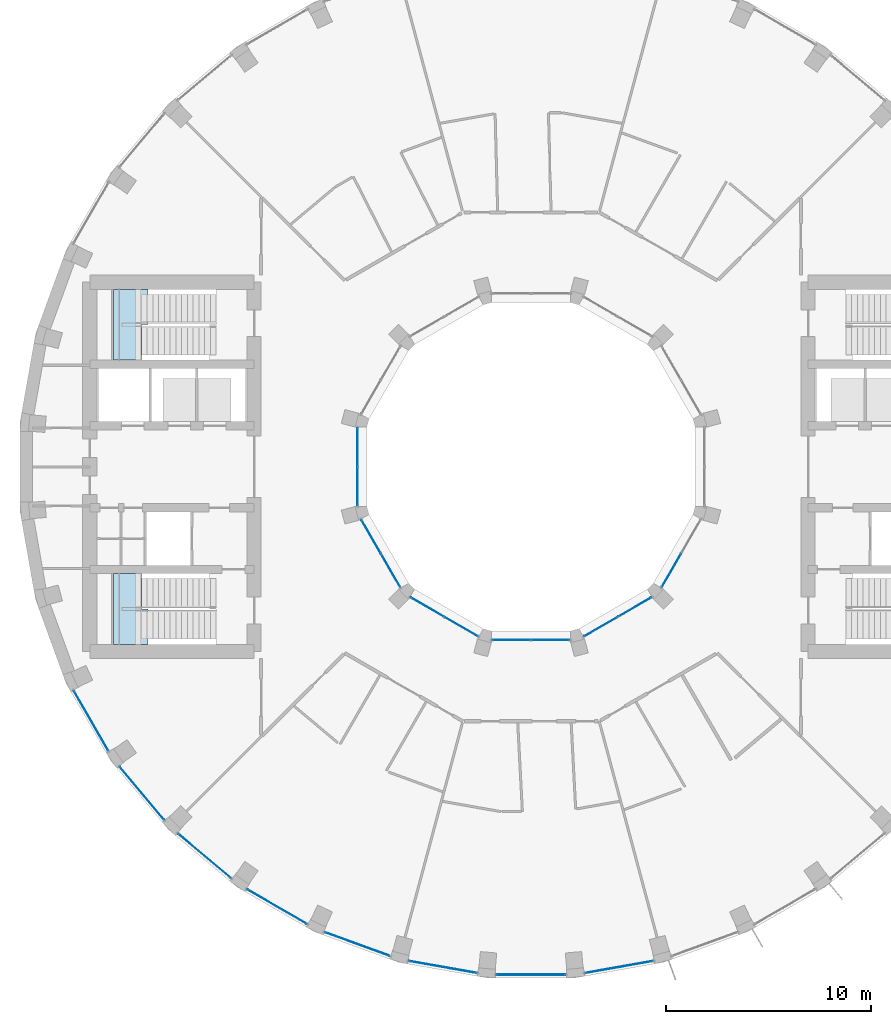
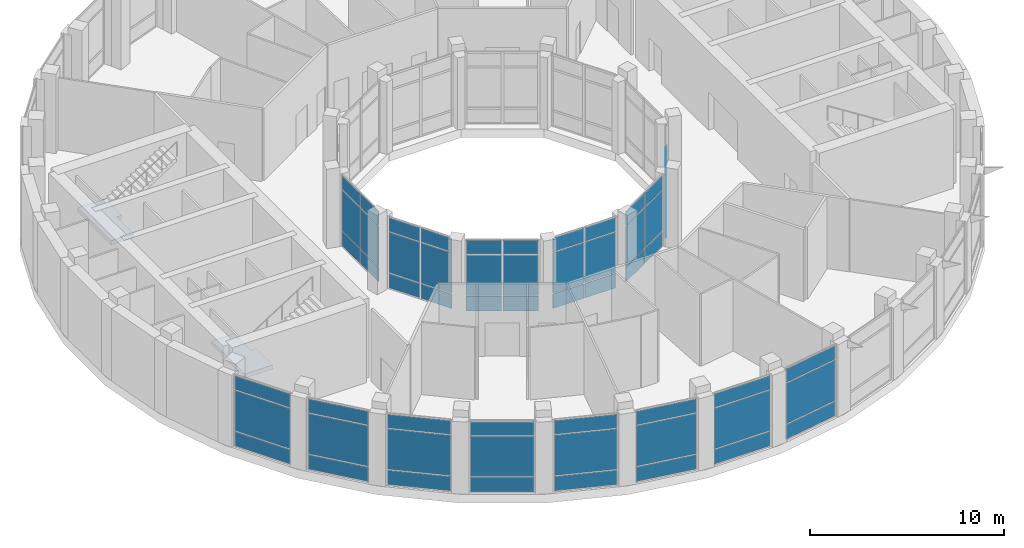
# One storey, part 8 of 18: 57 plates, 2 slabs, 16 elements without a shape of their own.
"""IFC4 building model written with IfcOpenShell, lengths in metres."""

import ifcopenshell
import ifcopenshell.guid

model = None  # the IFC model being written
_history = None  # IfcOwnerHistory: only IFC2X3 demands one
_inside = {}  # id of a spatial element -> (the spatial element, [elements in it])
_under = {}  # id of a project, library or spatial element -> (it, [spatial elements below it])
_declared = {}  # id of a project -> (the project, [libraries it declares])
_typed = {}  # id of a type object -> (the type object, [elements of that type])
_made_of = {}  # id of a material, layer set ... -> (it, [elements and type objects made of it])


def new_model(schema):
    """Start an empty IFC model of exactly this schema.

    Asked for "IFC4X3", IfcOpenShell would pick the latest addendum, in which some entities
    have other attributes; the version numbers below select the first issue.
    IFC2X3 requires an IfcOwnerHistory on every rooted entity: one is made here for all.
    """
    global model, _history
    if schema == "IFC4X3":
        model = ifcopenshell.file(schema_version=(4, 3, 0, 0))
    else:
        model = ifcopenshell.file(schema=schema)
    _inside.clear()
    _under.clear()
    _declared.clear()
    _typed.clear()
    _made_of.clear()
    _history = None
    if model.schema == "IFC2X3":
        org = make("IfcOrganization", Name="unknown")
        user = make(
            "IfcPersonAndOrganization",
            ThePerson=make("IfcPerson", FamilyName="unknown"),
            TheOrganization=org,
        )
        app = make(
            "IfcApplication",
            ApplicationDeveloper=org,
            Version="unknown",
            ApplicationFullName="unknown",
            ApplicationIdentifier="unknown",
        )
        _history = make(
            "IfcOwnerHistory",
            OwningUser=user,
            OwningApplication=app,
            ChangeAction="ADDED",
            CreationDate=0,
        )
    return model


def make(cls, **values):
    """One entity of the class cls with the attributes given. An attribute that is None is left unset."""
    return model.create_entity(
        cls, **{name: value for name, value in values.items() if value is not None}
    )


def rooted(cls, **values):
    """An entity with a GlobalId (a new one), such as an element, a storey or a relation."""
    return make(cls, GlobalId=ifcopenshell.guid.new(), OwnerHistory=_history, **values)


def si_unit(unit_type, name, prefix=None):
    """IfcSIUnit, for example si_unit("LENGTHUNIT", "METRE", prefix="MILLI")."""
    return make("IfcSIUnit", UnitType=unit_type, Prefix=prefix, Name=name)


def assignment(units):
    """IfcUnitAssignment: the units of a project."""
    return None if units is None else make("IfcUnitAssignment", Units=units)


def point(xyz):
    """IfcCartesianPoint."""
    return None if xyz is None else make("IfcCartesianPoint", Coordinates=xyz)


def direction(xyz):
    """IfcDirection."""
    return None if xyz is None else make("IfcDirection", DirectionRatios=xyz)


def frame(location, z_axis=None, x_axis=None):
    """IfcAxis2Placement3D, a coordinate frame: its origin and axes. An axis left out is left unset."""
    return make(
        "IfcAxis2Placement3D",
        Location=point(location),
        Axis=direction(z_axis),
        RefDirection=direction(x_axis),
    )


def frame_2d(location, x_axis=None):
    """IfcAxis2Placement2D, a coordinate frame in the plane: its origin and x axis."""
    return make(
        "IfcAxis2Placement2D", Location=point(location), RefDirection=direction(x_axis)
    )


def origin():
    """The frame at (0, 0, 0) with its axes left unset."""
    return frame((0.0, 0.0, 0.0))


def origin_2d():
    """The frame at (0, 0) in the plane with its x axis left unset."""
    return frame_2d((0.0, 0.0))


def place(relative_to, where):
    """IfcLocalPlacement: puts the frame where relative to a parent placement (None: the world)."""
    return make(
        "IfcLocalPlacement", PlacementRelTo=relative_to, RelativePlacement=where
    )


def context(
    kind, dimensions, precision=None, world=None, true_north=None, identifier=None
):
    """IfcGeometricRepresentationContext, for example the 3D "Model" context."""
    return make(
        "IfcGeometricRepresentationContext",
        ContextIdentifier=identifier,
        ContextType=kind,
        CoordinateSpaceDimension=dimensions,
        Precision=precision,
        WorldCoordinateSystem=world,
        TrueNorth=true_north,
    )


def subcontext(parent, identifier, kind, view, scale=None):
    """IfcGeometricRepresentationSubContext, for example "Body" below "Model"."""
    return make(
        "IfcGeometricRepresentationSubContext",
        ContextIdentifier=identifier,
        ContextType=kind,
        ParentContext=parent,
        TargetScale=scale,
        TargetView=view,
    )


def project(units=None, contexts=None):
    """IfcProject with its units and contexts."""
    return rooted(
        "IfcProject",
        Name="project",
        RepresentationContexts=contexts,
        UnitsInContext=assignment(units),
    )


def spatial(cls, under=None, at=None, **own):
    """A site, building, storey or space (cls), placed at a placement, below another one or the project."""
    s = rooted(cls, ObjectPlacement=at, **own)
    if under is not None:
        _under.setdefault(under.id(), (under, []))[1].append(s)
    return s


def polyline(points):
    """IfcPolyline through the points."""
    return make("IfcPolyline", Points=[point(p) for p in points])


def profile(cls, at=None, kind="AREA", **sizes):
    """A parametric profile (cls). Its sizes go by their IFC names, for example OverallWidth=200.0."""
    return make(cls, ProfileType=kind, Position=at, **sizes)


def rectangle(**sizes):
    """IfcRectangleProfileDef."""
    return profile("IfcRectangleProfileDef", **sizes)


def outline(outer, holes=None, kind="AREA"):
    """IfcArbitraryClosedProfileDef: a profile drawn as a closed curve; with holes, ...WithVoids."""
    if holes is None:
        return make("IfcArbitraryClosedProfileDef", ProfileType=kind, OuterCurve=outer)
    return make(
        "IfcArbitraryProfileDefWithVoids",
        ProfileType=kind,
        OuterCurve=outer,
        InnerCurves=holes,
    )


def extrude(swept, where, along, depth):
    """IfcExtrudedAreaSolid: the profile swept, set in the frame where, extruded along a direction by depth."""
    return make(
        "IfcExtrudedAreaSolid",
        SweptArea=swept,
        Position=where,
        ExtrudedDirection=direction(along),
        Depth=depth,
    )


def shape(context_of_items, identifier, shape_type, items):
    """IfcShapeRepresentation: the items that make up one representation, for example the "Body"."""
    return make(
        "IfcShapeRepresentation",
        ContextOfItems=context_of_items,
        RepresentationIdentifier=identifier,
        RepresentationType=shape_type,
        Items=items,
    )


def material(Name=None, Category=None):
    """IfcMaterial."""
    return make("IfcMaterial", Name=Name, Category=Category)


def layer(
    of_material, thickness, ventilated=None, Name=None, Category=None, Priority=None
):
    """IfcMaterialLayer: one layer of a wall or slab, of a material (None: an air gap)."""
    return make(
        "IfcMaterialLayer",
        Material=of_material,
        LayerThickness=thickness,
        IsVentilated=ventilated,
        Name=Name,
        Category=Category,
        Priority=Priority,
    )


def layer_set(layers, Name=None):
    """IfcMaterialLayerSet."""
    return make("IfcMaterialLayerSet", MaterialLayers=layers, LayerSetName=Name)


def made_of(thing, what):
    """Note that an element or type object is made of a material, layer set ...; save() writes the relation."""
    if what is not None:
        _made_of.setdefault(what.id(), (what, []))[1].append(thing)
    return thing


def type_object(cls, material=None, **own):
    """A type object (cls), such as IfcWallType, which elements share."""
    return made_of(rooted(cls, **own), material)


def element(
    cls,
    number,
    at=None,
    inside=None,
    cuts=None,
    type_object=None,
    material=None,
    context=None,
    identifier="Body",
    shape_type=None,
    held_by="IfcProductDefinitionShape",
    body=None,
    shapes=None,
    **own,
):
    """One element of the class cls, such as IfcWall. Its Tag is "e" and its number.

    at: its placement. inside: the storey or other place that contains it. cuts: it is an
    opening in that element (IfcRelVoidsElement). A single representation is given by context,
    identifier, shape_type and body (its items); several are given by shapes. held_by: the class
    of the entity that holds the representations. save() writes the other relations.
    """
    e = rooted(cls, Tag="e%d" % number, ObjectPlacement=at, **own)
    if body is not None:
        shapes = [shape(context, identifier, shape_type, body)]
    if shapes is not None:
        e.Representation = make(held_by, Representations=shapes)
    if inside is not None:
        _inside.setdefault(inside.id(), (inside, []))[1].append(e)
    if cuts is not None:
        rooted(
            "IfcRelVoidsElement", RelatingBuildingElement=cuts, RelatedOpeningElement=e
        )
    if type_object is not None:
        _typed.setdefault(type_object.id(), (type_object, []))[1].append(e)
    return made_of(e, material)


def aggregate(whole, parts):
    """IfcRelAggregates: a whole, such as a stair, and the parts it consists of."""
    return rooted("IfcRelAggregates", RelatingObject=whole, RelatedObjects=parts)


def save(model, path):
    """Write the relations noted so far, then the file.

    IfcRelAggregates (storeys below a building ...), IfcRelContainedInSpatialStructure (elements
    in a storey), IfcRelDefinesByType, IfcRelAssociatesMaterial and IfcRelDeclares: one each for
    every whole, place, type object, material and project.
    """
    for whole, parts in _under.values():
        aggregate(whole, parts)
    for where, things in _inside.values():
        rooted(
            "IfcRelContainedInSpatialStructure",
            RelatedElements=things,
            RelatingStructure=where,
        )
    for kind, things in _typed.values():
        rooted("IfcRelDefinesByType", RelatedObjects=things, RelatingType=kind)
    for what, things in _made_of.values():
        rooted("IfcRelAssociatesMaterial", RelatedObjects=things, RelatingMaterial=what)
    for by, libraries in _declared.values():
        rooted("IfcRelDeclares", RelatingContext=by, RelatedDefinitions=libraries)
    model.write(path)


model = new_model("IFC4")

# Units and contexts
model_context = context("Model", 3, precision=1e-05, world=origin(), true_north=direction((0.0, 1.0)))
body_context = subcontext(model_context, "Body", "Model", "MODEL_VIEW")
ifc_project = project(units=[si_unit("LENGTHUNIT", "METRE"), si_unit("AREAUNIT", "SQUARE_METRE"), si_unit("VOLUMEUNIT", "CUBIC_METRE"), si_unit("PLANEANGLEUNIT", "RADIAN"), si_unit("MASSUNIT", "GRAM", prefix="KILO")], contexts=[model_context])

# Site, building, storey
site_placement = place(None, origin())
site = spatial("IfcSite", under=ifc_project, at=site_placement, CompositionType="ELEMENT")
building_placement = place(site_placement, origin())
building = spatial("IfcBuilding", under=site, at=building_placement, Name="Saqina Gate Tower", CompositionType="ELEMENT")
storey_placement = place(building_placement, frame((0.0, 0.0, 155.800048828125)))
storey = spatial("IfcBuildingStorey", under=building, at=storey_placement, Name="L44", CompositionType="ELEMENT", Elevation=155.800048828125)

# Curtain wall, plates
ifc_material_1 = material(Name="Aluminium glazing", Category="aluminium")
ifc_layer_1 = layer(ifc_material_1, 0.159912109375)
ifc_layer_set_1 = layer_set([ifc_layer_1], Name="CWT-2")
curtain_wall_type_1 = type_object("IfcCurtainWallType", Name="CWT-2", PredefinedType="NOTDEFINED", material=ifc_layer_set_1)
curtain_wall_1_placement = place(storey_placement, origin())
curtain_wall_1 = element("IfcCurtainWall", 1, at=curtain_wall_1_placement, inside=storey, type_object=curtain_wall_type_1, Name="Sky lounge glazing facet 21", PredefinedType="NOTDEFINED")
ifc_material_2 = material(Name="Glass", Category="glass")
ifc_layer_2 = layer(ifc_material_2, 0.028076171875)
ifc_layer_set_2 = layer_set([ifc_layer_2], Name="CWT-2P")
plate_type_1 = type_object("IfcPlateType", Name="CWT-2P", PredefinedType="CURTAIN_PANEL", material=ifc_layer_set_2)
plate_1_placement = place(storey_placement, frame((-21.438232421875, -12.37744140625, 0.06005859375), z_axis=(0.0, 0.0, 1.0), x_axis=(0.500014364391, -0.866017110341, 0.0)))
plate_1 = element("IfcPlate", 2, at=plate_1_placement, type_object=plate_type_1, Name="CW2-21 panel 1.1", PredefinedType="CURTAIN_PANEL", context=body_context, shape_type="SweptSolid", body=[
    extrude(rectangle(XDim=3.32958984375, YDim=0.028076171875, at=origin_2d()), origin(), (0.0, 0.0, 1.0), 0.909912109375),
])
plate_2_placement = place(storey_placement, frame((-21.438232421875, -12.37744140625, 1.030029296875), z_axis=(0.0, 0.0, 1.0), x_axis=(0.500014364391, -0.866017110341, 0.0)))
plate_2 = element("IfcPlate", 3, at=plate_2_placement, type_object=plate_type_1, Name="CW2-21 panel 1.2", PredefinedType="CURTAIN_PANEL", context=body_context, shape_type="SweptSolid", body=[
    extrude(rectangle(XDim=3.32958984375, YDim=0.028076171875, at=origin_2d()), origin(), (0.0, 0.0, 1.0), 2.5400390625),
])
plate_3_placement = place(storey_placement, frame((-21.438232421875, -12.37744140625, 3.6298828125), z_axis=(0.0, 0.0, 1.0), x_axis=(0.500014364391, -0.866017110341, 0.0)))
plate_3 = element("IfcPlate", 4, at=plate_3_placement, type_object=plate_type_1, Name="CW2-21 panel 1.3", PredefinedType="CURTAIN_PANEL", context=body_context, shape_type="SweptSolid", body=[
    extrude(rectangle(XDim=3.32958984375, YDim=0.028076171875, at=origin_2d()), origin(), (0.0, 0.0, 1.0), 0.860107421875),
])
aggregate(curtain_wall_1, [plate_1, plate_2, plate_3])

curtain_wall_2_placement = place(storey_placement, origin())
curtain_wall_2 = element("IfcCurtainWall", 5, at=curtain_wall_2_placement, inside=storey, type_object=curtain_wall_type_1, Name="Sky lounge glazing facet 22", PredefinedType="NOTDEFINED")
plate_4_placement = place(storey_placement, frame((-18.96337890625, -15.912109375, 0.06005859375), z_axis=(0.0, 0.0, 1.0), x_axis=(0.642789549658, -0.766042815286, 0.0)))
plate_4 = element("IfcPlate", 6, at=plate_4_placement, type_object=plate_type_1, Name="CW2-22 panel 1.1", PredefinedType="CURTAIN_PANEL", context=body_context, shape_type="SweptSolid", body=[
    extrude(rectangle(XDim=3.329833984375, YDim=0.028076171875, at=origin_2d()), origin(), (0.0, 0.0, 1.0), 0.909912109375),
])
plate_5_placement = place(storey_placement, frame((-18.96337890625, -15.912109375, 1.030029296875), z_axis=(0.0, 0.0, 1.0), x_axis=(0.642789549658, -0.766042815286, 0.0)))
plate_5 = element("IfcPlate", 7, at=plate_5_placement, type_object=plate_type_1, Name="CW2-22 panel 1.2", PredefinedType="CURTAIN_PANEL", context=body_context, shape_type="SweptSolid", body=[
    extrude(rectangle(XDim=3.329833984375, YDim=0.028076171875, at=origin_2d()), origin(), (0.0, 0.0, 1.0), 2.5400390625),
])
plate_6_placement = place(storey_placement, frame((-18.96337890625, -15.912109375, 3.6298828125), z_axis=(0.0, 0.0, 1.0), x_axis=(0.642789549658, -0.766042815286, 0.0)))
plate_6 = element("IfcPlate", 8, at=plate_6_placement, type_object=plate_type_1, Name="CW2-22 panel 1.3", PredefinedType="CURTAIN_PANEL", context=body_context, shape_type="SweptSolid", body=[
    extrude(rectangle(XDim=3.329833984375, YDim=0.028076171875, at=origin_2d()), origin(), (0.0, 0.0, 1.0), 0.860107421875),
])
aggregate(curtain_wall_2, [plate_4, plate_5, plate_6])

curtain_wall_3_placement = place(storey_placement, origin())
curtain_wall_3 = element("IfcCurtainWall", 9, at=curtain_wall_3_placement, inside=storey, type_object=curtain_wall_type_1, Name="Sky lounge glazing facet 23", PredefinedType="NOTDEFINED")
plate_7_placement = place(storey_placement, frame((-15.912109375, -18.96337890625, 0.06005859375), z_axis=(0.0, 0.0, 1.0), x_axis=(0.766042815286, -0.642789549658, 0.0)))
plate_7 = element("IfcPlate", 10, at=plate_7_placement, type_object=plate_type_1, Name="CW2-23 panel 1.1", PredefinedType="CURTAIN_PANEL", context=body_context, shape_type="SweptSolid", body=[
    extrude(rectangle(XDim=3.329833984375, YDim=0.028076171875, at=origin_2d()), origin(), (0.0, 0.0, 1.0), 0.909912109375),
])
plate_8_placement = place(storey_placement, frame((-15.912109375, -18.96337890625, 1.030029296875), z_axis=(0.0, 0.0, 1.0), x_axis=(0.766042815286, -0.642789549658, 0.0)))
plate_8 = element("IfcPlate", 11, at=plate_8_placement, type_object=plate_type_1, Name="CW2-23 panel 1.2", PredefinedType="CURTAIN_PANEL", context=body_context, shape_type="SweptSolid", body=[
    extrude(rectangle(XDim=3.329833984375, YDim=0.028076171875, at=origin_2d()), origin(), (0.0, 0.0, 1.0), 2.5400390625),
])
plate_9_placement = place(storey_placement, frame((-15.912109375, -18.96337890625, 3.6298828125), z_axis=(0.0, 0.0, 1.0), x_axis=(0.766042815286, -0.642789549658, 0.0)))
plate_9 = element("IfcPlate", 12, at=plate_9_placement, type_object=plate_type_1, Name="CW2-23 panel 1.3", PredefinedType="CURTAIN_PANEL", context=body_context, shape_type="SweptSolid", body=[
    extrude(rectangle(XDim=3.329833984375, YDim=0.028076171875, at=origin_2d()), origin(), (0.0, 0.0, 1.0), 0.860107421875),
])
aggregate(curtain_wall_3, [plate_7, plate_8, plate_9])

curtain_wall_4_placement = place(storey_placement, origin())
curtain_wall_4 = element("IfcCurtainWall", 13, at=curtain_wall_4_placement, inside=storey, type_object=curtain_wall_type_1, Name="Sky lounge glazing facet 24", PredefinedType="NOTDEFINED")
plate_10_placement = place(storey_placement, frame((-12.37744140625, -21.438232421875, 0.06005859375), z_axis=(0.0, 0.0, 1.0), x_axis=(0.866017110341, -0.500014364391, 0.0)))
plate_10 = element("IfcPlate", 14, at=plate_10_placement, type_object=plate_type_1, Name="CW2-24 panel 1.1", PredefinedType="CURTAIN_PANEL", context=body_context, shape_type="SweptSolid", body=[
    extrude(rectangle(XDim=3.32958984375, YDim=0.028076171875, at=origin_2d()), origin(), (0.0, 0.0, 1.0), 0.909912109375),
])
plate_11_placement = place(storey_placement, frame((-12.37744140625, -21.438232421875, 1.030029296875), z_axis=(0.0, 0.0, 1.0), x_axis=(0.866017110341, -0.500014364391, 0.0)))
plate_11 = element("IfcPlate", 15, at=plate_11_placement, type_object=plate_type_1, Name="CW2-24 panel 1.2", PredefinedType="CURTAIN_PANEL", context=body_context, shape_type="SweptSolid", body=[
    extrude(rectangle(XDim=3.32958984375, YDim=0.028076171875, at=origin_2d()), origin(), (0.0, 0.0, 1.0), 2.5400390625),
])
plate_12_placement = place(storey_placement, frame((-12.37744140625, -21.438232421875, 3.6298828125), z_axis=(0.0, 0.0, 1.0), x_axis=(0.866017110341, -0.500014364391, 0.0)))
plate_12 = element("IfcPlate", 16, at=plate_12_placement, type_object=plate_type_1, Name="CW2-24 panel 1.3", PredefinedType="CURTAIN_PANEL", context=body_context, shape_type="SweptSolid", body=[
    extrude(rectangle(XDim=3.32958984375, YDim=0.028076171875, at=origin_2d()), origin(), (0.0, 0.0, 1.0), 0.860107421875),
])
aggregate(curtain_wall_4, [plate_10, plate_11, plate_12])

curtain_wall_5_placement = place(storey_placement, origin())
curtain_wall_5 = element("IfcCurtainWall", 17, at=curtain_wall_5_placement, inside=storey, type_object=curtain_wall_type_1, Name="Sky lounge glazing facet 25", PredefinedType="NOTDEFINED")
plate_13_placement = place(storey_placement, frame((-8.466552734375, -23.261962890625, 0.06005859375), z_axis=(0.0, 0.0, 1.0), x_axis=(0.939690972552, -0.342024671777, 0.0)))
plate_13 = element("IfcPlate", 18, at=plate_13_placement, type_object=plate_type_1, Name="CW2-25 panel 1.1", PredefinedType="CURTAIN_PANEL", context=body_context, shape_type="SweptSolid", body=[
    extrude(rectangle(XDim=3.329833984375, YDim=0.028076171875, at=origin_2d()), origin(), (0.0, 0.0, 1.0), 0.909912109375),
])
plate_14_placement = place(storey_placement, frame((-8.466552734375, -23.261962890625, 1.030029296875), z_axis=(0.0, 0.0, 1.0), x_axis=(0.939690972552, -0.342024671777, 0.0)))
plate_14 = element("IfcPlate", 19, at=plate_14_placement, type_object=plate_type_1, Name="CW2-25 panel 1.2", PredefinedType="CURTAIN_PANEL", context=body_context, shape_type="SweptSolid", body=[
    extrude(rectangle(XDim=3.329833984375, YDim=0.028076171875, at=origin_2d()), origin(), (0.0, 0.0, 1.0), 2.5400390625),
])
plate_15_placement = place(storey_placement, frame((-8.466552734375, -23.261962890625, 3.6298828125), z_axis=(0.0, 0.0, 1.0), x_axis=(0.939690972552, -0.342024671777, 0.0)))
plate_15 = element("IfcPlate", 20, at=plate_15_placement, type_object=plate_type_1, Name="CW2-25 panel 1.3", PredefinedType="CURTAIN_PANEL", context=body_context, shape_type="SweptSolid", body=[
    extrude(rectangle(XDim=3.329833984375, YDim=0.028076171875, at=origin_2d()), origin(), (0.0, 0.0, 1.0), 0.860107421875),
])
aggregate(curtain_wall_5, [plate_13, plate_14, plate_15])

curtain_wall_6_placement = place(storey_placement, origin())
curtain_wall_6 = element("IfcCurtainWall", 21, at=curtain_wall_6_placement, inside=storey, type_object=curtain_wall_type_1, Name="Sky lounge glazing facet 26", PredefinedType="NOTDEFINED")
plate_16_placement = place(storey_placement, frame((-4.298583984375, -24.37890625, 0.06005859375), z_axis=(0.0, 0.0, 1.0), x_axis=(0.984809520296, -0.173638154602, 0.0)))
plate_16 = element("IfcPlate", 22, at=plate_16_placement, type_object=plate_type_1, Name="CW2-26 panel 1.1", PredefinedType="CURTAIN_PANEL", context=body_context, shape_type="SweptSolid", body=[
    extrude(rectangle(XDim=3.32958984375, YDim=0.028076171875, at=origin_2d()), origin(), (0.0, 0.0, 1.0), 0.909912109375),
])
plate_17_placement = place(storey_placement, frame((-4.298583984375, -24.37890625, 1.030029296875), z_axis=(0.0, 0.0, 1.0), x_axis=(0.984809520296, -0.173638154602, 0.0)))
plate_17 = element("IfcPlate", 23, at=plate_17_placement, type_object=plate_type_1, Name="CW2-26 panel 1.2", PredefinedType="CURTAIN_PANEL", context=body_context, shape_type="SweptSolid", body=[
    extrude(rectangle(XDim=3.32958984375, YDim=0.028076171875, at=origin_2d()), origin(), (0.0, 0.0, 1.0), 2.5400390625),
])
plate_18_placement = place(storey_placement, frame((-4.298583984375, -24.37890625, 3.6298828125), z_axis=(0.0, 0.0, 1.0), x_axis=(0.984809520296, -0.173638154602, 0.0)))
plate_18 = element("IfcPlate", 24, at=plate_18_placement, type_object=plate_type_1, Name="CW2-26 panel 1.3", PredefinedType="CURTAIN_PANEL", context=body_context, shape_type="SweptSolid", body=[
    extrude(rectangle(XDim=3.32958984375, YDim=0.028076171875, at=origin_2d()), origin(), (0.0, 0.0, 1.0), 0.860107421875),
])
aggregate(curtain_wall_6, [plate_16, plate_17, plate_18])

curtain_wall_7_placement = place(storey_placement, origin())
curtain_wall_7 = element("IfcCurtainWall", 25, at=curtain_wall_7_placement, inside=storey, type_object=curtain_wall_type_1, Name="Sky lounge glazing facet 27", PredefinedType="NOTDEFINED")
plate_19_placement = place(storey_placement, frame((0.0, -24.7548828125, 0.06005859375), z_axis=(0.0, 0.0, 1.0), x_axis=(1.0, 0.0, 0.0)))
plate_19 = element("IfcPlate", 26, at=plate_19_placement, type_object=plate_type_1, Name="CW2-27 panel 1.1", PredefinedType="CURTAIN_PANEL", context=body_context, shape_type="SweptSolid", body=[
    extrude(rectangle(XDim=3.329833984375, YDim=0.028076171875, at=origin_2d()), origin(), (0.0, 0.0, 1.0), 0.909912109375),
])
plate_20_placement = place(storey_placement, frame((0.0, -24.7548828125, 1.030029296875), z_axis=(0.0, 0.0, 1.0), x_axis=(1.0, 0.0, 0.0)))
plate_20 = element("IfcPlate", 27, at=plate_20_placement, type_object=plate_type_1, Name="CW2-27 panel 1.2", PredefinedType="CURTAIN_PANEL", context=body_context, shape_type="SweptSolid", body=[
    extrude(rectangle(XDim=3.329833984375, YDim=0.028076171875, at=origin_2d()), origin(), (0.0, 0.0, 1.0), 2.5400390625),
])
plate_21_placement = place(storey_placement, frame((0.0, -24.7548828125, 3.6298828125), z_axis=(0.0, 0.0, 1.0), x_axis=(1.0, 0.0, 0.0)))
plate_21 = element("IfcPlate", 28, at=plate_21_placement, type_object=plate_type_1, Name="CW2-27 panel 1.3", PredefinedType="CURTAIN_PANEL", context=body_context, shape_type="SweptSolid", body=[
    extrude(rectangle(XDim=3.329833984375, YDim=0.028076171875, at=origin_2d()), origin(), (0.0, 0.0, 1.0), 0.860107421875),
])
aggregate(curtain_wall_7, [plate_19, plate_20, plate_21])

curtain_wall_8_placement = place(storey_placement, origin())
curtain_wall_8 = element("IfcCurtainWall", 29, at=curtain_wall_8_placement, inside=storey, type_object=curtain_wall_type_1, Name="Sky lounge glazing facet 28", PredefinedType="NOTDEFINED")
plate_22_placement = place(storey_placement, frame((4.298583984375, -24.37890625, 0.06005859375), z_axis=(0.0, 0.0, 1.0), x_axis=(0.984809520296, 0.173638154602, 0.0)))
plate_22 = element("IfcPlate", 30, at=plate_22_placement, type_object=plate_type_1, Name="CW2-28 panel 1.1", PredefinedType="CURTAIN_PANEL", context=body_context, shape_type="SweptSolid", body=[
    extrude(rectangle(XDim=3.32958984375, YDim=0.028076171875, at=origin_2d()), origin(), (0.0, 0.0, 1.0), 0.909912109375),
])
plate_23_placement = place(storey_placement, frame((4.298583984375, -24.37890625, 1.030029296875), z_axis=(0.0, 0.0, 1.0), x_axis=(0.984809520296, 0.173638154602, 0.0)))
plate_23 = element("IfcPlate", 31, at=plate_23_placement, type_object=plate_type_1, Name="CW2-28 panel 1.2", PredefinedType="CURTAIN_PANEL", context=body_context, shape_type="SweptSolid", body=[
    extrude(rectangle(XDim=3.32958984375, YDim=0.028076171875, at=origin_2d()), origin(), (0.0, 0.0, 1.0), 2.5400390625),
])
plate_24_placement = place(storey_placement, frame((4.298583984375, -24.37890625, 3.6298828125), z_axis=(0.0, 0.0, 1.0), x_axis=(0.984809520296, 0.173638154602, 0.0)))
plate_24 = element("IfcPlate", 32, at=plate_24_placement, type_object=plate_type_1, Name="CW2-28 panel 1.3", PredefinedType="CURTAIN_PANEL", context=body_context, shape_type="SweptSolid", body=[
    extrude(rectangle(XDim=3.32958984375, YDim=0.028076171875, at=origin_2d()), origin(), (0.0, 0.0, 1.0), 0.860107421875),
])
aggregate(curtain_wall_8, [plate_22, plate_23, plate_24])

ifc_material_3 = material(Name="Aluminium glazing", Category="aluminium")
ifc_layer_3 = layer(ifc_material_3, 0.159912109375)
ifc_layer_set_3 = layer_set([ifc_layer_3], Name="CWT-3")
curtain_wall_type_2 = type_object("IfcCurtainWallType", Name="CWT-3", PredefinedType="NOTDEFINED", material=ifc_layer_set_3)
curtain_wall_9_placement = place(storey_placement, origin())
curtain_wall_9 = element("IfcCurtainWall", 33, at=curtain_wall_9_placement, inside=storey, type_object=curtain_wall_type_2, Name="Sky lounge well glazing L44 facet 6", PredefinedType="NOTDEFINED")
ifc_material_4 = material(Name="Glass", Category="glass")
ifc_layer_4 = layer(ifc_material_4, 0.028076171875)
ifc_layer_set_4 = layer_set([ifc_layer_4], Name="CWT-3P")
plate_type_2 = type_object("IfcPlateType", Name="CWT-3P", PredefinedType="CURTAIN_PANEL", material=ifc_layer_set_4)
plate_25_placement = place(storey_placement, frame((-8.449951171875, 0.952392578125, 0.06005859375), z_axis=(0.0, 0.0, 1.0), x_axis=(0.0, -1.0, 0.0)))
plate_25 = element("IfcPlate", 34, at=plate_25_placement, type_object=plate_type_2, Name="CW3-06 panel 1.1", PredefinedType="CURTAIN_PANEL", context=body_context, shape_type="SweptSolid", body=[
    extrude(rectangle(XDim=1.844970703125, YDim=0.028076171875, at=origin_2d()), origin(), (0.0, 0.0, 1.0), 0.909912109375),
])
plate_26_placement = place(storey_placement, frame((-8.449951171875, 0.952392578125, 1.030029296875), z_axis=(0.0, 0.0, 1.0), x_axis=(0.0, -1.0, 0.0)))
plate_26 = element("IfcPlate", 35, at=plate_26_placement, type_object=plate_type_2, Name="CW3-06 panel 1.2", PredefinedType="CURTAIN_PANEL", context=body_context, shape_type="SweptSolid", body=[
    extrude(rectangle(XDim=1.844970703125, YDim=0.028076171875, at=origin_2d()), origin(), (0.0, 0.0, 1.0), 2.5400390625),
])
plate_27_placement = place(storey_placement, frame((-8.449951171875, 0.952392578125, 3.6298828125), z_axis=(0.0, 0.0, 1.0), x_axis=(0.0, -1.0, 0.0)))
plate_27 = element("IfcPlate", 36, at=plate_27_placement, type_object=plate_type_2, Name="CW3-06 panel 1.3", PredefinedType="CURTAIN_PANEL", context=body_context, shape_type="SweptSolid", body=[
    extrude(rectangle(XDim=1.844970703125, YDim=0.028076171875, at=origin_2d()), origin(), (0.0, 0.0, 1.0), 0.860107421875),
])
plate_28_placement = place(storey_placement, frame((-8.449951171875, -0.952392578125, 0.06005859375), z_axis=(0.0, 0.0, 1.0), x_axis=(0.0, -1.0, 0.0)))
plate_28 = element("IfcPlate", 37, at=plate_28_placement, type_object=plate_type_2, Name="CW3-06 panel 2.1", PredefinedType="CURTAIN_PANEL", context=body_context, shape_type="SweptSolid", body=[
    extrude(rectangle(XDim=1.844970703125, YDim=0.028076171875, at=origin_2d()), origin(), (0.0, 0.0, 1.0), 0.909912109375),
])
plate_29_placement = place(storey_placement, frame((-8.449951171875, -0.952392578125, 1.030029296875), z_axis=(0.0, 0.0, 1.0), x_axis=(0.0, -1.0, 0.0)))
plate_29 = element("IfcPlate", 38, at=plate_29_placement, type_object=plate_type_2, Name="CW3-06 panel 2.2", PredefinedType="CURTAIN_PANEL", context=body_context, shape_type="SweptSolid", body=[
    extrude(rectangle(XDim=1.844970703125, YDim=0.028076171875, at=origin_2d()), origin(), (0.0, 0.0, 1.0), 2.5400390625),
])
plate_30_placement = place(storey_placement, frame((-8.449951171875, -0.952392578125, 3.6298828125), z_axis=(0.0, 0.0, 1.0), x_axis=(0.0, -1.0, 0.0)))
plate_30 = element("IfcPlate", 39, at=plate_30_placement, type_object=plate_type_2, Name="CW3-06 panel 2.3", PredefinedType="CURTAIN_PANEL", context=body_context, shape_type="SweptSolid", body=[
    extrude(rectangle(XDim=1.844970703125, YDim=0.028076171875, at=origin_2d()), origin(), (0.0, 0.0, 1.0), 0.860107421875),
])
aggregate(curtain_wall_9, [plate_25, plate_26, plate_27, plate_28, plate_29, plate_30])

curtain_wall_10_placement = place(storey_placement, origin())
curtain_wall_10 = element("IfcCurtainWall", 40, at=curtain_wall_10_placement, inside=storey, type_object=curtain_wall_type_2, Name="Sky lounge well glazing L44 facet 7", PredefinedType="NOTDEFINED")
plate_31_placement = place(storey_placement, frame((-7.794189453125, -3.400146484375, 0.06005859375), z_axis=(0.0, 0.0, 1.0), x_axis=(0.500013238243, -0.866017760546, 0.0)))
plate_31 = element("IfcPlate", 41, at=plate_31_placement, type_object=plate_type_2, Name="CW3-07 panel 1.1", PredefinedType="CURTAIN_PANEL", context=body_context, shape_type="SweptSolid", body=[
    extrude(rectangle(XDim=1.844970703125, YDim=0.028076171875, at=origin_2d()), origin(), (0.0, 0.0, 1.0), 0.909912109375),
])
plate_32_placement = place(storey_placement, frame((-7.794189453125, -3.400146484375, 1.030029296875), z_axis=(0.0, 0.0, 1.0), x_axis=(0.500013238243, -0.866017760546, 0.0)))
plate_32 = element("IfcPlate", 42, at=plate_32_placement, type_object=plate_type_2, Name="CW3-07 panel 1.2", PredefinedType="CURTAIN_PANEL", context=body_context, shape_type="SweptSolid", body=[
    extrude(rectangle(XDim=1.844970703125, YDim=0.028076171875, at=origin_2d()), origin(), (0.0, 0.0, 1.0), 2.5400390625),
])
plate_33_placement = place(storey_placement, frame((-7.794189453125, -3.400146484375, 3.6298828125), z_axis=(0.0, 0.0, 1.0), x_axis=(0.500013238243, -0.866017760546, 0.0)))
plate_33 = element("IfcPlate", 43, at=plate_33_placement, type_object=plate_type_2, Name="CW3-07 panel 1.3", PredefinedType="CURTAIN_PANEL", context=body_context, shape_type="SweptSolid", body=[
    extrude(rectangle(XDim=1.844970703125, YDim=0.028076171875, at=origin_2d()), origin(), (0.0, 0.0, 1.0), 0.860107421875),
])
plate_34_placement = place(storey_placement, frame((-6.841552734375, -5.0498046875, 0.06005859375), z_axis=(0.0, 0.0, 1.0), x_axis=(0.500013238243, -0.866017760546, 0.0)))
plate_34 = element("IfcPlate", 44, at=plate_34_placement, type_object=plate_type_2, Name="CW3-07 panel 2.1", PredefinedType="CURTAIN_PANEL", context=body_context, shape_type="SweptSolid", body=[
    extrude(rectangle(XDim=1.844970703125, YDim=0.028076171875, at=origin_2d()), origin(), (0.0, 0.0, 1.0), 0.909912109375),
])
plate_35_placement = place(storey_placement, frame((-6.841552734375, -5.0498046875, 1.030029296875), z_axis=(0.0, 0.0, 1.0), x_axis=(0.500013238243, -0.866017760546, 0.0)))
plate_35 = element("IfcPlate", 45, at=plate_35_placement, type_object=plate_type_2, Name="CW3-07 panel 2.2", PredefinedType="CURTAIN_PANEL", context=body_context, shape_type="SweptSolid", body=[
    extrude(rectangle(XDim=1.844970703125, YDim=0.028076171875, at=origin_2d()), origin(), (0.0, 0.0, 1.0), 2.5400390625),
])
plate_36_placement = place(storey_placement, frame((-6.841552734375, -5.0498046875, 3.6298828125), z_axis=(0.0, 0.0, 1.0), x_axis=(0.500013238243, -0.866017760546, 0.0)))
plate_36 = element("IfcPlate", 46, at=plate_36_placement, type_object=plate_type_2, Name="CW3-07 panel 2.3", PredefinedType="CURTAIN_PANEL", context=body_context, shape_type="SweptSolid", body=[
    extrude(rectangle(XDim=1.844970703125, YDim=0.028076171875, at=origin_2d()), origin(), (0.0, 0.0, 1.0), 0.860107421875),
])
aggregate(curtain_wall_10, [plate_31, plate_32, plate_33, plate_34, plate_35, plate_36])

curtain_wall_11_placement = place(storey_placement, origin())
curtain_wall_11 = element("IfcCurtainWall", 47, at=curtain_wall_11_placement, inside=storey, type_object=curtain_wall_type_2, Name="Sky lounge well glazing L44 facet 8", PredefinedType="NOTDEFINED")
plate_37_placement = place(storey_placement, frame((-5.0498046875, -6.841552734375, 0.06005859375), z_axis=(0.0, 0.0, 1.0), x_axis=(0.866017760546, -0.500013238243, 0.0)))
plate_37 = element("IfcPlate", 48, at=plate_37_placement, type_object=plate_type_2, Name="CW3-08 panel 1.1", PredefinedType="CURTAIN_PANEL", context=body_context, shape_type="SweptSolid", body=[
    extrude(rectangle(XDim=1.844970703125, YDim=0.028076171875, at=origin_2d()), origin(), (0.0, 0.0, 1.0), 0.909912109375),
])
plate_38_placement = place(storey_placement, frame((-5.0498046875, -6.841552734375, 1.030029296875), z_axis=(0.0, 0.0, 1.0), x_axis=(0.866017760546, -0.500013238243, 0.0)))
plate_38 = element("IfcPlate", 49, at=plate_38_placement, type_object=plate_type_2, Name="CW3-08 panel 1.2", PredefinedType="CURTAIN_PANEL", context=body_context, shape_type="SweptSolid", body=[
    extrude(rectangle(XDim=1.844970703125, YDim=0.028076171875, at=origin_2d()), origin(), (0.0, 0.0, 1.0), 2.5400390625),
])
plate_39_placement = place(storey_placement, frame((-5.0498046875, -6.841552734375, 3.6298828125), z_axis=(0.0, 0.0, 1.0), x_axis=(0.866017760546, -0.500013238243, 0.0)))
plate_39 = element("IfcPlate", 50, at=plate_39_placement, type_object=plate_type_2, Name="CW3-08 panel 1.3", PredefinedType="CURTAIN_PANEL", context=body_context, shape_type="SweptSolid", body=[
    extrude(rectangle(XDim=1.844970703125, YDim=0.028076171875, at=origin_2d()), origin(), (0.0, 0.0, 1.0), 0.860107421875),
])
plate_40_placement = place(storey_placement, frame((-3.400146484375, -7.794189453125, 0.06005859375), z_axis=(0.0, 0.0, 1.0), x_axis=(0.866017760546, -0.500013238243, 0.0)))
plate_40 = element("IfcPlate", 51, at=plate_40_placement, type_object=plate_type_2, Name="CW3-08 panel 2.1", PredefinedType="CURTAIN_PANEL", context=body_context, shape_type="SweptSolid", body=[
    extrude(rectangle(XDim=1.844970703125, YDim=0.028076171875, at=origin_2d()), origin(), (0.0, 0.0, 1.0), 0.909912109375),
])
plate_41_placement = place(storey_placement, frame((-3.400146484375, -7.794189453125, 1.030029296875), z_axis=(0.0, 0.0, 1.0), x_axis=(0.866017760546, -0.500013238243, 0.0)))
plate_41 = element("IfcPlate", 52, at=plate_41_placement, type_object=plate_type_2, Name="CW3-08 panel 2.2", PredefinedType="CURTAIN_PANEL", context=body_context, shape_type="SweptSolid", body=[
    extrude(rectangle(XDim=1.844970703125, YDim=0.028076171875, at=origin_2d()), origin(), (0.0, 0.0, 1.0), 2.5400390625),
])
plate_42_placement = place(storey_placement, frame((-3.400146484375, -7.794189453125, 3.6298828125), z_axis=(0.0, 0.0, 1.0), x_axis=(0.866017760546, -0.500013238243, 0.0)))
plate_42 = element("IfcPlate", 53, at=plate_42_placement, type_object=plate_type_2, Name="CW3-08 panel 2.3", PredefinedType="CURTAIN_PANEL", context=body_context, shape_type="SweptSolid", body=[
    extrude(rectangle(XDim=1.844970703125, YDim=0.028076171875, at=origin_2d()), origin(), (0.0, 0.0, 1.0), 0.860107421875),
])
aggregate(curtain_wall_11, [plate_37, plate_38, plate_39, plate_40, plate_41, plate_42])

curtain_wall_12_placement = place(storey_placement, origin())
curtain_wall_12 = element("IfcCurtainWall", 54, at=curtain_wall_12_placement, inside=storey, type_object=curtain_wall_type_2, Name="Sky lounge well glazing L44 facet 9", PredefinedType="NOTDEFINED")
plate_43_placement = place(storey_placement, frame((-0.952392578125, -8.449951171875, 0.06005859375), z_axis=(0.0, 0.0, 1.0), x_axis=(1.0, 0.0, 0.0)))
plate_43 = element("IfcPlate", 55, at=plate_43_placement, type_object=plate_type_2, Name="CW3-09 panel 1.1", PredefinedType="CURTAIN_PANEL", context=body_context, shape_type="SweptSolid", body=[
    extrude(rectangle(XDim=1.844970703125, YDim=0.028076171875, at=origin_2d()), origin(), (0.0, 0.0, 1.0), 0.909912109375),
])
plate_44_placement = place(storey_placement, frame((-0.952392578125, -8.449951171875, 1.030029296875), z_axis=(0.0, 0.0, 1.0), x_axis=(1.0, 0.0, 0.0)))
plate_44 = element("IfcPlate", 56, at=plate_44_placement, type_object=plate_type_2, Name="CW3-09 panel 1.2", PredefinedType="CURTAIN_PANEL", context=body_context, shape_type="SweptSolid", body=[
    extrude(rectangle(XDim=1.844970703125, YDim=0.028076171875, at=origin_2d()), origin(), (0.0, 0.0, 1.0), 2.5400390625),
])
plate_45_placement = place(storey_placement, frame((-0.952392578125, -8.449951171875, 3.6298828125), z_axis=(0.0, 0.0, 1.0), x_axis=(1.0, 0.0, 0.0)))
plate_45 = element("IfcPlate", 57, at=plate_45_placement, type_object=plate_type_2, Name="CW3-09 panel 1.3", PredefinedType="CURTAIN_PANEL", context=body_context, shape_type="SweptSolid", body=[
    extrude(rectangle(XDim=1.844970703125, YDim=0.028076171875, at=origin_2d()), origin(), (0.0, 0.0, 1.0), 0.860107421875),
])
plate_46_placement = place(storey_placement, frame((0.952392578125, -8.449951171875, 0.06005859375), z_axis=(0.0, 0.0, 1.0), x_axis=(1.0, 0.0, 0.0)))
plate_46 = element("IfcPlate", 58, at=plate_46_placement, type_object=plate_type_2, Name="CW3-09 panel 2.1", PredefinedType="CURTAIN_PANEL", context=body_context, shape_type="SweptSolid", body=[
    extrude(rectangle(XDim=1.844970703125, YDim=0.028076171875, at=origin_2d()), origin(), (0.0, 0.0, 1.0), 0.909912109375),
])
plate_47_placement = place(storey_placement, frame((0.952392578125, -8.449951171875, 1.030029296875), z_axis=(0.0, 0.0, 1.0), x_axis=(1.0, 0.0, 0.0)))
plate_47 = element("IfcPlate", 59, at=plate_47_placement, type_object=plate_type_2, Name="CW3-09 panel 2.2", PredefinedType="CURTAIN_PANEL", context=body_context, shape_type="SweptSolid", body=[
    extrude(rectangle(XDim=1.844970703125, YDim=0.028076171875, at=origin_2d()), origin(), (0.0, 0.0, 1.0), 2.5400390625),
])
plate_48_placement = place(storey_placement, frame((0.952392578125, -8.449951171875, 3.6298828125), z_axis=(0.0, 0.0, 1.0), x_axis=(1.0, 0.0, 0.0)))
plate_48 = element("IfcPlate", 60, at=plate_48_placement, type_object=plate_type_2, Name="CW3-09 panel 2.3", PredefinedType="CURTAIN_PANEL", context=body_context, shape_type="SweptSolid", body=[
    extrude(rectangle(XDim=1.844970703125, YDim=0.028076171875, at=origin_2d()), origin(), (0.0, 0.0, 1.0), 0.860107421875),
])
aggregate(curtain_wall_12, [plate_43, plate_44, plate_45, plate_46, plate_47, plate_48])

curtain_wall_13_placement = place(storey_placement, origin())
curtain_wall_13 = element("IfcCurtainWall", 61, at=curtain_wall_13_placement, inside=storey, type_object=curtain_wall_type_2, Name="Sky lounge well glazing L44 facet 10", PredefinedType="NOTDEFINED")
plate_49_placement = place(storey_placement, frame((3.400146484375, -7.794189453125, 0.06005859375), z_axis=(0.0, 0.0, 1.0), x_axis=(0.866017760546, 0.500013238243, 0.0)))
plate_49 = element("IfcPlate", 62, at=plate_49_placement, type_object=plate_type_2, Name="CW3-10 panel 1.1", PredefinedType="CURTAIN_PANEL", context=body_context, shape_type="SweptSolid", body=[
    extrude(rectangle(XDim=1.844970703125, YDim=0.028076171875, at=origin_2d()), origin(), (0.0, 0.0, 1.0), 0.909912109375),
])
plate_50_placement = place(storey_placement, frame((3.400146484375, -7.794189453125, 1.030029296875), z_axis=(0.0, 0.0, 1.0), x_axis=(0.866017760546, 0.500013238243, 0.0)))
plate_50 = element("IfcPlate", 63, at=plate_50_placement, type_object=plate_type_2, Name="CW3-10 panel 1.2", PredefinedType="CURTAIN_PANEL", context=body_context, shape_type="SweptSolid", body=[
    extrude(rectangle(XDim=1.844970703125, YDim=0.028076171875, at=origin_2d()), origin(), (0.0, 0.0, 1.0), 2.5400390625),
])
plate_51_placement = place(storey_placement, frame((3.400146484375, -7.794189453125, 3.6298828125), z_axis=(0.0, 0.0, 1.0), x_axis=(0.866017760546, 0.500013238243, 0.0)))
plate_51 = element("IfcPlate", 64, at=plate_51_placement, type_object=plate_type_2, Name="CW3-10 panel 1.3", PredefinedType="CURTAIN_PANEL", context=body_context, shape_type="SweptSolid", body=[
    extrude(rectangle(XDim=1.844970703125, YDim=0.028076171875, at=origin_2d()), origin(), (0.0, 0.0, 1.0), 0.860107421875),
])
plate_52_placement = place(storey_placement, frame((5.0498046875, -6.841552734375, 0.06005859375), z_axis=(0.0, 0.0, 1.0), x_axis=(0.866017760546, 0.500013238243, 0.0)))
plate_52 = element("IfcPlate", 65, at=plate_52_placement, type_object=plate_type_2, Name="CW3-10 panel 2.1", PredefinedType="CURTAIN_PANEL", context=body_context, shape_type="SweptSolid", body=[
    extrude(rectangle(XDim=1.844970703125, YDim=0.028076171875, at=origin_2d()), origin(), (0.0, 0.0, 1.0), 0.909912109375),
])
plate_53_placement = place(storey_placement, frame((5.0498046875, -6.841552734375, 1.030029296875), z_axis=(0.0, 0.0, 1.0), x_axis=(0.866017760546, 0.500013238243, 0.0)))
plate_53 = element("IfcPlate", 66, at=plate_53_placement, type_object=plate_type_2, Name="CW3-10 panel 2.2", PredefinedType="CURTAIN_PANEL", context=body_context, shape_type="SweptSolid", body=[
    extrude(rectangle(XDim=1.844970703125, YDim=0.028076171875, at=origin_2d()), origin(), (0.0, 0.0, 1.0), 2.5400390625),
])
plate_54_placement = place(storey_placement, frame((5.0498046875, -6.841552734375, 3.6298828125), z_axis=(0.0, 0.0, 1.0), x_axis=(0.866017760546, 0.500013238243, 0.0)))
plate_54 = element("IfcPlate", 67, at=plate_54_placement, type_object=plate_type_2, Name="CW3-10 panel 2.3", PredefinedType="CURTAIN_PANEL", context=body_context, shape_type="SweptSolid", body=[
    extrude(rectangle(XDim=1.844970703125, YDim=0.028076171875, at=origin_2d()), origin(), (0.0, 0.0, 1.0), 0.860107421875),
])
aggregate(curtain_wall_13, [plate_49, plate_50, plate_51, plate_52, plate_53, plate_54])

curtain_wall_14_placement = place(storey_placement, origin())
curtain_wall_14 = element("IfcCurtainWall", 68, at=curtain_wall_14_placement, inside=storey, type_object=curtain_wall_type_2, Name="Sky lounge well glazing L44 facet 11", PredefinedType="NOTDEFINED")
plate_55_placement = place(storey_placement, frame((6.841552734375, -5.0498046875, 0.06005859375), z_axis=(0.0, 0.0, 1.0), x_axis=(0.500013238243, 0.866017760546, 0.0)))
plate_55 = element("IfcPlate", 69, at=plate_55_placement, type_object=plate_type_2, Name="CW3-11 panel 1.1", PredefinedType="CURTAIN_PANEL", context=body_context, shape_type="SweptSolid", body=[
    extrude(rectangle(XDim=1.844970703125, YDim=0.028076171875, at=origin_2d()), origin(), (0.0, 0.0, 1.0), 0.909912109375),
])
plate_56_placement = place(storey_placement, frame((6.841552734375, -5.0498046875, 1.030029296875), z_axis=(0.0, 0.0, 1.0), x_axis=(0.500013238243, 0.866017760546, 0.0)))
plate_56 = element("IfcPlate", 70, at=plate_56_placement, type_object=plate_type_2, Name="CW3-11 panel 1.2", PredefinedType="CURTAIN_PANEL", context=body_context, shape_type="SweptSolid", body=[
    extrude(rectangle(XDim=1.844970703125, YDim=0.028076171875, at=origin_2d()), origin(), (0.0, 0.0, 1.0), 2.5400390625),
])
plate_57_placement = place(storey_placement, frame((6.841552734375, -5.0498046875, 3.6298828125), z_axis=(0.0, 0.0, 1.0), x_axis=(0.500013238243, 0.866017760546, 0.0)))
plate_57 = element("IfcPlate", 71, at=plate_57_placement, type_object=plate_type_2, Name="CW3-11 panel 1.3", PredefinedType="CURTAIN_PANEL", context=body_context, shape_type="SweptSolid", body=[
    extrude(rectangle(XDim=1.844970703125, YDim=0.028076171875, at=origin_2d()), origin(), (0.0, 0.0, 1.0), 0.860107421875),
])
aggregate(curtain_wall_14, [plate_55, plate_56, plate_57])

# Stair, slab
ifc_material_5 = material(Name="Concrete C40/50", Category="concrete")
stair_type = type_object("IfcStairType", Name="EXIT STAIR", PredefinedType="HALF_TURN_STAIR", material=ifc_material_5)
stair_1_placement = place(storey_placement, origin())
stair_1 = element("IfcStair", 72, at=stair_1_placement, inside=storey, type_object=stair_type, Name="EXIT STAIR 3", PredefinedType="HALF_TURN_STAIR")
ifc_material_6 = material(Name="Concrete C40/50", Category="concrete")
ifc_layer_5 = layer(ifc_material_6, 0.25)
ifc_layer_set_5 = layer_set([ifc_layer_5], Name="Concrete C40/50")
slab_type = type_object("IfcSlabType", Name="EXIT STAIR LANDING", PredefinedType="LANDING", material=ifc_layer_set_5)
slab_1_placement = place(storey_placement, frame((0.0, 0.0, 2.25)))
slab_1 = element("IfcSlab", 73, at=slab_1_placement, type_object=slab_type, Name="EXIT STAIR 3 LANDING 1", PredefinedType="LANDING", context=body_context, shape_type="SweptSolid", body=[
    extrude(outline(polyline([(-18.985107421875, 5.199951171875), (-20.340087890625, 5.199951171875), (-20.340087890625, 8.64990234375), (-18.989990234375, 8.64990234375), (-18.985107421875, 8.64990234375), (-18.6708984375, 8.64990234375), (-18.6708984375, 6.925048828125), (-18.985107421875, 6.925048828125), (-18.985107421875, 5.199951171875)])), origin(), (0.0, 0.0, 1.0), 0.25),
])
aggregate(stair_1, [slab_1])

stair_2_placement = place(storey_placement, origin())
stair_2 = element("IfcStair", 74, at=stair_2_placement, inside=storey, type_object=stair_type, Name="EXIT STAIR 4", PredefinedType="HALF_TURN_STAIR")
slab_2_placement = place(storey_placement, frame((0.0, 0.0, 2.25)))
slab_2 = element("IfcSlab", 75, at=slab_2_placement, type_object=slab_type, Name="EXIT STAIR 4 LANDING 1", PredefinedType="LANDING", context=body_context, shape_type="SweptSolid", body=[
    extrude(outline(polyline([(-18.6708984375, -6.925048828125), (-18.6708984375, -8.64990234375), (-18.985107421875, -8.64990234375), (-18.989990234375, -8.64990234375), (-20.340087890625, -8.64990234375), (-20.340087890625, -5.199951171875), (-18.985107421875, -5.199951171875), (-18.985107421875, -6.925048828125), (-18.6708984375, -6.925048828125)])), origin(), (0.0, 0.0, 1.0), 0.25),
])
aggregate(stair_2, [slab_2])

save(model, "model.ifc")
